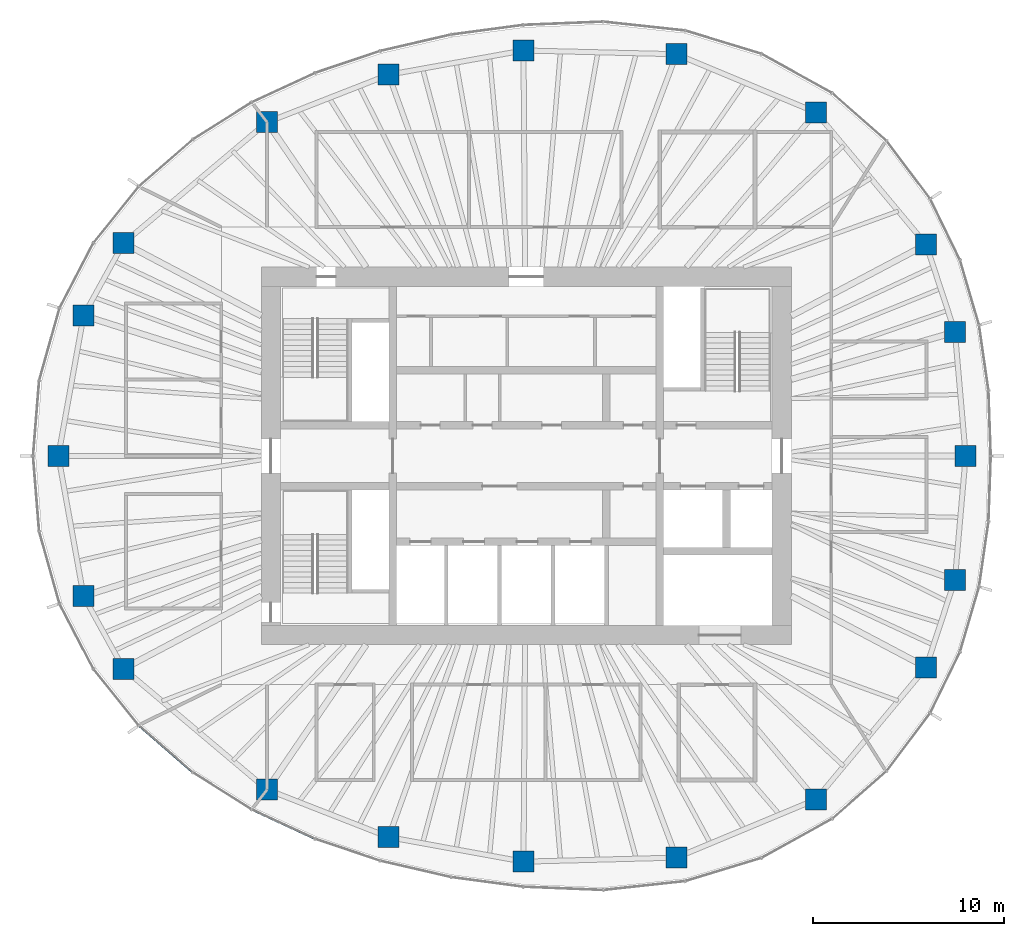
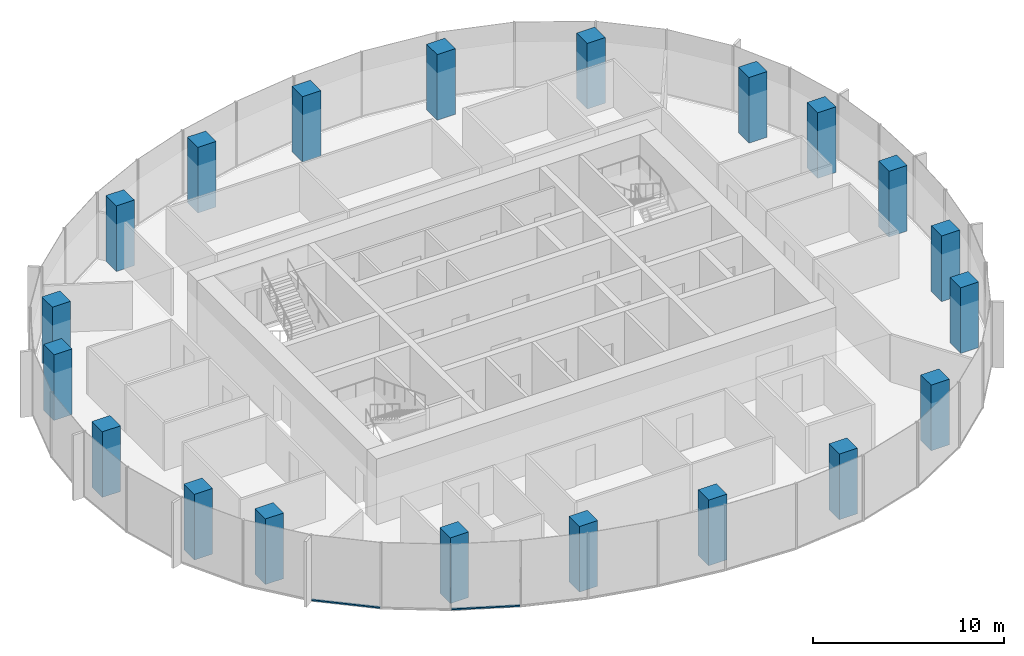
# One storey, part 1 of 12: 20 columns, 2 members, 2 elements without a shape of their own.
"""IFC4 building model written with IfcOpenShell, lengths in metres."""

from ifc_helpers import new_model, si_unit, direction, frame, origin, origin_2d, place, context, subcontext, project, spatial, rectangle, extrude, material, material_profile, profile_set, type_object, element, aggregate, save


model = new_model("IFC4")

# Units and contexts
model_context = context("Model", 3, precision=1e-05, world=origin(), true_north=direction((0.0, 1.0)))
body_context = subcontext(model_context, "Body", "Model", "MODEL_VIEW")
ifc_project = project(units=[si_unit("LENGTHUNIT", "METRE"), si_unit("AREAUNIT", "SQUARE_METRE"), si_unit("VOLUMEUNIT", "CUBIC_METRE"), si_unit("PLANEANGLEUNIT", "RADIAN"), si_unit("MASSUNIT", "GRAM", prefix="KILO")], contexts=[model_context])

# Site, building, storey
site_placement = place(None, origin())
site = spatial("IfcSite", under=ifc_project, at=site_placement, CompositionType="ELEMENT")
building_placement = place(site_placement, origin())
building = spatial("IfcBuilding", under=site, at=building_placement, Name="Ghaith Harvest Tower", CompositionType="ELEMENT")
storey_placement = place(building_placement, frame((0.0, 0.0, 296.39990234375)))
storey = spatial("IfcBuildingStorey", under=building, at=storey_placement, Name="L66", CompositionType="ELEMENT", Elevation=296.39990234375)

# Columns
ifc_material_1 = material(Name="Concrete C50/60", Category="concrete")
ifc_material_profile_1 = material_profile(ifc_material_1, rectangle(XDim=1.10009765625, YDim=1.10009765625, at=origin_2d()), Name="RC1100X1100")
ifc_profile_set_1 = profile_set([ifc_material_profile_1], Name="Concrete C50/60")
column_type = type_object("IfcColumnType", Name="TC7 RC1100X1100", PredefinedType="COLUMN", material=ifc_profile_set_1)
for number, where, z_axis, x_axis, name in (
    (1, (23.050048828125, 0.0, 0.0), (0.0, 0.0, 1.0), (1.0, 0.0, 0.0), "Perimeter column C01"),
    (2, (22.485107421875, 6.4990234375, 0.0), (0.0, 0.0, 1.0), (1.0, 0.0, 0.0), "Perimeter column C02"),
    (3, (20.97705078125, 11.087890625, 0.0), (0.0, 0.0, 1.0), (1.0, 0.0, 0.0), "Perimeter column C03"),
    (4, (15.197998046875, 18.02294921875, 0.0), (0.0, 0.0, 1.0), (1.0, 0.0, 0.0), "Perimeter column C04"),
    (5, (7.8779296875, 21.072021484375, 0.0), (0.0, 0.0, 1.0), (1.0, 0.0, 0.0), "Perimeter column C05"),
    (6, (-0.14599609375, 21.27099609375, 0.0), (0.0, 0.0, 1.0), (1.0, 0.0, 0.0), "Perimeter column C06"),
    (7, (-7.221923828125, 19.9970703125, 0.0), (0.0, 0.0, 1.0), (1.0, 0.0, 0.0), "Perimeter column C07"),
    (8, (-13.594970703125, 17.5048828125, 0.0), (0.0, 0.0, 1.0), (1.0, 0.0, 0.0), "Perimeter column C08"),
    (9, (-21.125, 11.166015625, 0.0), (0.0, 0.0, 1.0), (1.0, 0.0, 0.0), "Perimeter column C09"),
    (10, (-23.22412109375, 7.360107421875, 0.0), (0.0, 0.0, 1.0), (1.0, 0.0, 0.0), "Perimeter column C10"),
    (11, (-24.550048828125, 0.0, 0.0), (0.0, 0.0, 1.0), (1.0, 0.0, 0.0), "Perimeter column C11"),
    (12, (-23.22412109375, -7.360107421875, 0.0), (0.0, 0.0, 1.0), (1.0, 0.0, 0.0), "Perimeter column C12"),
    (13, (-21.125, -11.166015625, 0.0), (0.0, 0.0, 1.0), (1.0, 0.0, 0.0), "Perimeter column C13"),
    (14, (-13.594970703125, -17.5048828125, 0.0), (0.0, 0.0, 1.0), (1.0, 0.0, 0.0), "Perimeter column C14"),
    (15, (-7.221923828125, -19.9970703125, 0.0), (0.0, 0.0, 1.0), (1.0, 0.0, 0.0), "Perimeter column C15"),
    (16, (-0.14599609375, -21.285888671875, 0.0), (0.0, 0.0, 1.0), (1.0, 0.0, 0.0), "Perimeter column C16"),
    (17, (7.8779296875, -21.072021484375, 0.0), (0.0, 0.0, 1.0), (1.0, 0.0, 0.0), "Perimeter column C17"),
    (18, (15.197998046875, -18.02294921875, 0.0), (0.0, 0.0, 1.0), (1.0, 0.0, 0.0), "Perimeter column C18"),
    (19, (20.97705078125, -11.087890625, 0.0), (0.0, 0.0, 1.0), (1.0, 0.0, 0.0), "Perimeter column C19"),
    (20, (22.485107421875, -6.4990234375, 0.0), (0.0, 0.0, 1.0), (1.0, 0.0, 0.0), "Perimeter column C20"),
):
    element("IfcColumn", number, at=place(storey_placement, frame(where, z_axis=z_axis, x_axis=x_axis)), inside=storey, type_object=column_type, Name=name, PredefinedType="COLUMN", context=body_context, shape_type="SweptSolid", body=[
        extrude(rectangle(XDim=1.10009765625, YDim=1.10009765625, at=origin_2d()), origin(), (0.0, 0.0, 1.0), 4.2001953125),
    ])

# Curtain wall, member
ifc_material_2 = material(Name="Black anodised aluminium and fritted glass", Category="aluminium")
curtain_wall_type = type_object("IfcCurtainWallType", Name="CW-T CURTAIN WALL", PredefinedType="NOTDEFINED", material=ifc_material_2)
curtain_wall_1_placement = place(storey_placement, origin())
curtain_wall_1 = element("IfcCurtainWall", 21, at=curtain_wall_1_placement, inside=storey, type_object=curtain_wall_type, Name="Curtain wall CW-T bay 13 L66", PredefinedType="NOTDEFINED")
ifc_material_3 = material(Name="Aluminium, black anodised", Category="aluminium")
ifc_material_profile_2 = material_profile(ifc_material_3, rectangle(XDim=0.1201171875, YDim=0.080078125, at=origin_2d()), Name="CW-T TRANSOM 120x80")
ifc_profile_set_2 = profile_set([ifc_material_profile_2], Name="Aluminium, black anodised")
member_type = type_object("IfcMemberType", Name="CW-T TRANSOM 120x80", PredefinedType="USERDEFINED", material=ifc_profile_set_2)
member_1_placement = place(storey_placement, frame((-20.294189453125, -14.168212890625, 0.0400390625), z_axis=(0.754851889287, -0.65589528527, 0.0), x_axis=(0.65589528527, 0.754851889287, 0.0)))
member_1 = element("IfcMember", 22, at=member_1_placement, type_object=member_type, Name="CW-T transom 1 bay 13 L66", ObjectType="TRANSOM", PredefinedType="USERDEFINED", context=body_context, shape_type="SweptSolid", body=[
    extrude(rectangle(XDim=0.1201171875, YDim=0.080078125, at=origin_2d()), origin(), (0.0, 0.0, 1.0), 3.668701171875),
])
aggregate(curtain_wall_1, [member_1])

curtain_wall_2_placement = place(storey_placement, origin())
curtain_wall_2 = element("IfcCurtainWall", 23, at=curtain_wall_2_placement, inside=storey, type_object=curtain_wall_type, Name="Curtain wall CW-T bay 14 L66", PredefinedType="NOTDEFINED")
member_2_placement = place(storey_placement, frame((-14.36865234375, -18.564697265625, 0.0400390625), z_axis=(0.907472177056, -0.420112184862, 0.0), x_axis=(0.420112184862, 0.907472177056, 0.0)))
member_2 = element("IfcMember", 24, at=member_2_placement, type_object=member_type, Name="CW-T transom 1 bay 14 L66", ObjectType="TRANSOM", PredefinedType="USERDEFINED", context=body_context, shape_type="SweptSolid", body=[
    extrude(rectangle(XDim=0.1201171875, YDim=0.080078125, at=origin_2d()), origin(), (0.0, 0.0, 1.0), 3.597900390625),
])
aggregate(curtain_wall_2, [member_2])

save(model, "model.ifc")
